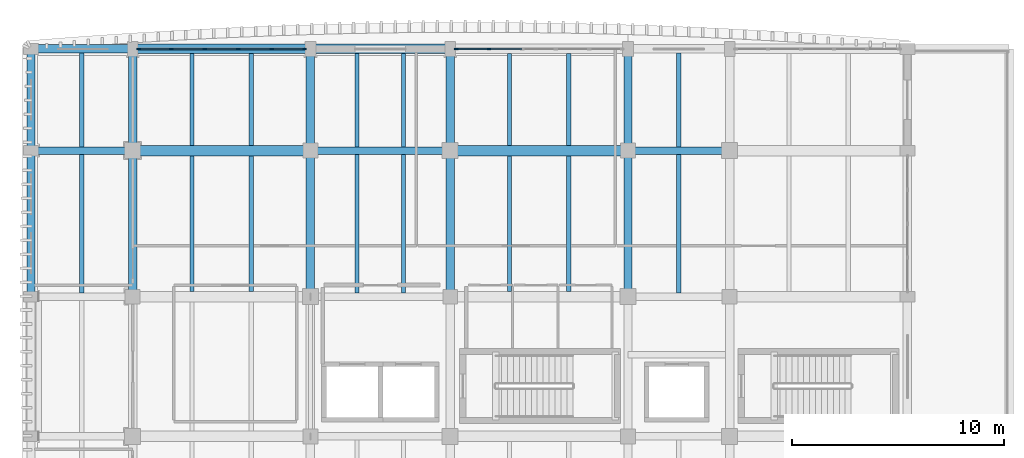
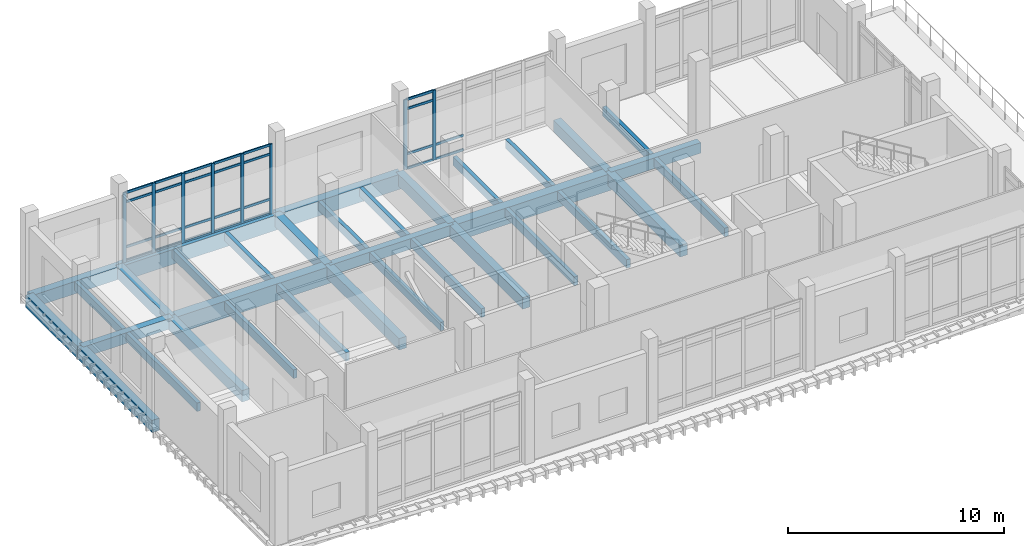
# One storey, part 6 of 50: 34 beams, 34 members, 2 elements without a shape of their own.
"""IFC4 building model written with IfcOpenShell, lengths in metres."""

from ifc_helpers import new_model, si_unit, direction, frame, origin, origin_2d, place, context, subcontext, project, spatial, rectangle, extrude, material, material_profile, profile_set, type_object, element, aggregate, save


model = new_model("IFC4")

# Units and contexts
model_context = context("Model", 3, precision=1e-05, world=origin(), true_north=direction((0.0, 1.0)))
body_context = subcontext(model_context, "Body", "Model", "MODEL_VIEW")
ifc_project = project(units=[si_unit("LENGTHUNIT", "METRE"), si_unit("AREAUNIT", "SQUARE_METRE"), si_unit("VOLUMEUNIT", "CUBIC_METRE"), si_unit("PLANEANGLEUNIT", "RADIAN"), si_unit("MASSUNIT", "GRAM", prefix="KILO")], contexts=[model_context])

# Site, building, storey
site_placement = place(None, origin())
site = spatial("IfcSite", under=ifc_project, at=site_placement, CompositionType="ELEMENT")
building_placement = place(site_placement, origin())
building = spatial("IfcBuilding", under=site, at=building_placement, Name="Dornvale Research Institute", CompositionType="ELEMENT")
storey_placement = place(building_placement, frame((0.0, 0.0, 19.800048828125)))
storey = spatial("IfcBuildingStorey", under=building, at=storey_placement, Name="L04", CompositionType="ELEMENT", Elevation=19.800048828125)

# Beams
ifc_material_1 = material(Name="Concrete f'c 45 MPa (C35/45)", Category="concrete")
ifc_material_profile_1 = material_profile(ifc_material_1, rectangle(XDim=0.35009765625, YDim=0.60009765625, at=origin_2d()), Name="RC 350x600")
ifc_profile_set_1 = profile_set([ifc_material_profile_1], Name="Concrete f'c 45 MPa (C35/45)")
beam_type_1 = type_object("IfcBeamType", Name="Beam_RC350x600_Floor", PredefinedType="BEAM", material=ifc_profile_set_1)
beam_1_placement = place(storey_placement, frame((0.0, 117.300048828125, -0.300048828125), z_axis=(1.0, 0.0, 0.0), x_axis=(0.0, 1.0, 0.0)))
element("IfcBeam", 1, at=beam_1_placement, inside=storey, type_object=beam_type_1, Name="L04 primary girder #1132", PredefinedType="BEAM", context=body_context, shape_type="SweptSolid", body=[
    extrude(rectangle(XDim=0.35009765625, YDim=0.60009765625, at=origin_2d()), origin(), (0.0, 0.0, 1.0), 4.800048828125),
])
beam_2_placement = place(storey_placement, frame((13.199951171875, 117.300048828125, -0.300048828125), z_axis=(1.0, 0.0, 0.0), x_axis=(0.0, 1.0, 0.0)))
element("IfcBeam", 2, at=beam_2_placement, inside=storey, type_object=beam_type_1, Name="L04 primary girder #1134", PredefinedType="BEAM", context=body_context, shape_type="SweptSolid", body=[
    extrude(rectangle(XDim=0.35009765625, YDim=0.60009765625, at=origin_2d()), origin(), (0.0, 0.0, 1.0), 6.60009765625),
])
beam_3_placement = place(storey_placement, frame((28.199951171875, 117.300048828125, -0.300048828125), z_axis=(1.0, 0.0, 0.0), x_axis=(0.0, 1.0, 0.0)))
element("IfcBeam", 3, at=beam_3_placement, inside=storey, type_object=beam_type_1, Name="L04 primary girder #1136", PredefinedType="BEAM", context=body_context, shape_type="SweptSolid", body=[
    extrude(rectangle(XDim=0.35009765625, YDim=0.60009765625, at=origin_2d()), origin(), (0.0, 0.0, 1.0), 4.800048828125),
])
ifc_material_2 = material(Name="Concrete f'c 45 MPa (C35/45)", Category="concrete")
ifc_material_profile_2 = material_profile(ifc_material_2, rectangle(XDim=0.39990234375, YDim=0.64990234375, at=origin_2d()), Name="RC 400x650")
ifc_profile_set_2 = profile_set([ifc_material_profile_2], Name="Concrete f'c 45 MPa (C35/45)")
beam_type_2 = type_object("IfcBeamType", Name="Beam_RC400x650_Floor", PredefinedType="BEAM", material=ifc_profile_set_2)
beam_4_placement = place(storey_placement, frame((4.800048828125, 110.39990234375, -0.324951171875), z_axis=(0.0, 1.0, 0.0), x_axis=(-1.0, 0.0, 0.0)))
element("IfcBeam", 4, at=beam_4_placement, inside=storey, type_object=beam_type_2, Name="L04 transverse girder #1150", PredefinedType="BEAM", context=body_context, shape_type="SweptSolid", body=[
    extrude(rectangle(XDim=0.39990234375, YDim=0.64990234375, at=origin_2d()), origin(), (0.0, 0.0, 1.0), 6.900146484375),
])
beam_5_placement = place(storey_placement, frame((4.800048828125, 117.300048828125, -0.324951171875), z_axis=(0.0, 1.0, 0.0), x_axis=(-1.0, 0.0, 0.0)))
element("IfcBeam", 5, at=beam_5_placement, inside=storey, type_object=beam_type_2, Name="L04 transverse girder #1151", PredefinedType="BEAM", context=body_context, shape_type="SweptSolid", body=[
    extrude(rectangle(XDim=0.39990234375, YDim=0.64990234375, at=origin_2d()), origin(), (0.0, 0.0, 1.0), 4.800048828125),
])
beam_6_placement = place(storey_placement, frame((13.199951171875, 110.39990234375, -0.324951171875), z_axis=(0.0, 1.0, 0.0), x_axis=(-1.0, 0.0, 0.0)))
element("IfcBeam", 6, at=beam_6_placement, inside=storey, type_object=beam_type_2, Name="L04 transverse girder #1154", PredefinedType="BEAM", context=body_context, shape_type="SweptSolid", body=[
    extrude(rectangle(XDim=0.39990234375, YDim=0.64990234375, at=origin_2d()), origin(), (0.0, 0.0, 1.0), 6.900146484375),
])
beam_7_placement = place(storey_placement, frame((13.199951171875, 117.300048828125, -0.324951171875), z_axis=(0.0, 1.0, 0.0), x_axis=(-1.0, 0.0, 0.0)))
element("IfcBeam", 7, at=beam_7_placement, inside=storey, type_object=beam_type_2, Name="L04 transverse girder #1155", PredefinedType="BEAM", context=body_context, shape_type="SweptSolid", body=[
    extrude(rectangle(XDim=0.39990234375, YDim=0.64990234375, at=origin_2d()), origin(), (0.0, 0.0, 1.0), 4.800048828125),
])
beam_8_placement = place(storey_placement, frame((19.800048828125, 110.39990234375, -0.324951171875), z_axis=(0.0, 1.0, 0.0), x_axis=(-1.0, 0.0, 0.0)))
element("IfcBeam", 8, at=beam_8_placement, inside=storey, type_object=beam_type_2, Name="L04 transverse girder #1158", PredefinedType="BEAM", context=body_context, shape_type="SweptSolid", body=[
    extrude(rectangle(XDim=0.39990234375, YDim=0.64990234375, at=origin_2d()), origin(), (0.0, 0.0, 1.0), 6.900146484375),
])
beam_9_placement = place(storey_placement, frame((19.800048828125, 117.300048828125, -0.324951171875), z_axis=(0.0, 1.0, 0.0), x_axis=(-1.0, 0.0, 0.0)))
element("IfcBeam", 9, at=beam_9_placement, inside=storey, type_object=beam_type_2, Name="L04 transverse girder #1159", PredefinedType="BEAM", context=body_context, shape_type="SweptSolid", body=[
    extrude(rectangle(XDim=0.39990234375, YDim=0.64990234375, at=origin_2d()), origin(), (0.0, 0.0, 1.0), 4.800048828125),
])
beam_10_placement = place(storey_placement, frame((28.199951171875, 110.39990234375, -0.324951171875), z_axis=(0.0, 1.0, 0.0), x_axis=(-1.0, 0.0, 0.0)))
element("IfcBeam", 10, at=beam_10_placement, inside=storey, type_object=beam_type_2, Name="L04 transverse girder #1162", PredefinedType="BEAM", context=body_context, shape_type="SweptSolid", body=[
    extrude(rectangle(XDim=0.39990234375, YDim=0.64990234375, at=origin_2d()), origin(), (0.0, 0.0, 1.0), 6.900146484375),
])
beam_11_placement = place(storey_placement, frame((28.199951171875, 117.300048828125, -0.324951171875), z_axis=(0.0, 1.0, 0.0), x_axis=(-1.0, 0.0, 0.0)))
element("IfcBeam", 11, at=beam_11_placement, inside=storey, type_object=beam_type_2, Name="L04 transverse girder #1163", PredefinedType="BEAM", context=body_context, shape_type="SweptSolid", body=[
    extrude(rectangle(XDim=0.39990234375, YDim=0.64990234375, at=origin_2d()), origin(), (0.0, 0.0, 1.0), 4.800048828125),
])
ifc_material_3 = material(Name="Concrete f'c 45 MPa (C35/45)", Category="concrete")
ifc_material_profile_3 = material_profile(ifc_material_3, rectangle(XDim=0.5, YDim=0.949951171875, at=origin_2d()), Name="RC 500x950")
ifc_profile_set_3 = profile_set([ifc_material_profile_3], Name="Concrete f'c 45 MPa (C35/45)")
beam_type_3 = type_object("IfcBeamType", Name="Beam_RC500x950_Girder", PredefinedType="BEAM", material=ifc_profile_set_3)
for number, where, z_axis, x_axis, name in (
    (12, (4.800048828125, 117.300048828125, -0.47509765625), (1.0, 0.0, 0.0), (0.0, 1.0, 0.0), "L04 primary girder #1133"),
    (13, (19.800048828125, 117.300048828125, -0.47509765625), (1.0, 0.0, 0.0), (0.0, 1.0, 0.0), "L04 primary girder #1135"),
):
    element("IfcBeam", number, at=place(storey_placement, frame(where, z_axis=z_axis, x_axis=x_axis)), inside=storey, type_object=beam_type_3, Name=name, PredefinedType="BEAM", context=body_context, shape_type="SweptSolid", body=[
        extrude(rectangle(XDim=0.5, YDim=0.949951171875, at=origin_2d()), origin(), (0.0, 0.0, 1.0), 8.39990234375),
    ])
ifc_material_4 = material(Name="Concrete f'c 45 MPa (C35/45)", Category="concrete")
ifc_material_profile_4 = material_profile(ifc_material_4, rectangle(XDim=0.199951171875, YDim=0.485107421875, at=origin_2d()), Name="RC 200x485")
ifc_profile_set_4 = profile_set([ifc_material_profile_4], Name="Concrete f'c 45 MPa (C35/45)")
beam_type_4 = type_object("IfcBeamType", Name="Joist_RC200x485_Rib", PredefinedType="JOIST", material=ifc_profile_set_4)
beam_12_placement = place(storey_placement, frame((2.39990234375, 110.574951171875, -0.242431640625), z_axis=(0.0, 1.0, 0.0), x_axis=(-1.0, 0.0, 0.0)))
element("IfcBeam", 14, at=beam_12_placement, inside=storey, type_object=beam_type_4, Name="L04 laboratory waffle joist #555", PredefinedType="JOIST", context=body_context, shape_type="SweptSolid", body=[
    extrude(rectangle(XDim=0.199951171875, YDim=0.485107421875, at=origin_2d()), origin(), (0.0, 0.0, 1.0), 6.550048828125),
])
beam_13_placement = place(storey_placement, frame((2.39990234375, 117.47509765625, -0.242431640625), z_axis=(0.0, 1.0, 0.0), x_axis=(-1.0, 0.0, 0.0)))
element("IfcBeam", 15, at=beam_13_placement, inside=storey, type_object=beam_type_4, Name="L04 laboratory waffle joist #556", PredefinedType="JOIST", context=body_context, shape_type="SweptSolid", body=[
    extrude(rectangle(XDim=0.199951171875, YDim=0.485107421875, at=origin_2d()), origin(), (0.0, 0.0, 1.0), 4.4248046875),
])
for number, where, z_axis, x_axis, name in (
    (16, (7.60009765625, 110.64990234375, -0.242431640625), (0.0, 1.0, 0.0), (-1.0, 0.0, 0.0), "L04 laboratory waffle joist #561"),
    (17, (10.39990234375, 110.64990234375, -0.242431640625), (0.0, 1.0, 0.0), (-1.0, 0.0, 0.0), "L04 laboratory waffle joist #562"),
):
    element("IfcBeam", number, at=place(storey_placement, frame(where, z_axis=z_axis, x_axis=x_axis)), inside=storey, type_object=beam_type_4, Name=name, PredefinedType="JOIST", context=body_context, shape_type="SweptSolid", body=[
        extrude(rectangle(XDim=0.199951171875, YDim=0.485107421875, at=origin_2d()), origin(), (0.0, 0.0, 1.0), 6.400146484375),
    ])
for number, where, z_axis, x_axis, name in (
    (18, (7.60009765625, 117.550048828125, -0.242431640625), (0.0, 1.0, 0.0), (-1.0, 0.0, 0.0), "L04 laboratory waffle joist #563"),
    (19, (10.39990234375, 117.550048828125, -0.242431640625), (0.0, 1.0, 0.0), (-1.0, 0.0, 0.0), "L04 laboratory waffle joist #564"),
):
    element("IfcBeam", number, at=place(storey_placement, frame(where, z_axis=z_axis, x_axis=x_axis)), inside=storey, type_object=beam_type_4, Name=name, PredefinedType="JOIST", context=body_context, shape_type="SweptSolid", body=[
        extrude(rectangle(XDim=0.199951171875, YDim=0.485107421875, at=origin_2d()), origin(), (0.0, 0.0, 1.0), 4.324951171875),
    ])
for number, where, z_axis, x_axis, name in (
    (20, (15.39990234375, 110.574951171875, -0.242431640625), (0.0, 1.0, 0.0), (-1.0, 0.0, 0.0), "L04 laboratory waffle joist #567"),
    (21, (17.60009765625, 110.574951171875, -0.242431640625), (0.0, 1.0, 0.0), (-1.0, 0.0, 0.0), "L04 laboratory waffle joist #568"),
):
    element("IfcBeam", number, at=place(storey_placement, frame(where, z_axis=z_axis, x_axis=x_axis)), inside=storey, type_object=beam_type_4, Name=name, PredefinedType="JOIST", context=body_context, shape_type="SweptSolid", body=[
        extrude(rectangle(XDim=0.199951171875, YDim=0.485107421875, at=origin_2d()), origin(), (0.0, 0.0, 1.0), 6.550048828125),
    ])
for number, where, z_axis, x_axis, name in (
    (22, (15.39990234375, 117.47509765625, -0.242431640625), (0.0, 1.0, 0.0), (-1.0, 0.0, 0.0), "L04 laboratory waffle joist #569"),
    (23, (17.60009765625, 117.47509765625, -0.242431640625), (0.0, 1.0, 0.0), (-1.0, 0.0, 0.0), "L04 laboratory waffle joist #570"),
):
    element("IfcBeam", number, at=place(storey_placement, frame(where, z_axis=z_axis, x_axis=x_axis)), inside=storey, type_object=beam_type_4, Name=name, PredefinedType="JOIST", context=body_context, shape_type="SweptSolid", body=[
        extrude(rectangle(XDim=0.199951171875, YDim=0.485107421875, at=origin_2d()), origin(), (0.0, 0.0, 1.0), 4.39990234375),
    ])
for number, where, z_axis, x_axis, name in (
    (24, (22.60009765625, 110.64990234375, -0.242431640625), (0.0, 1.0, 0.0), (-1.0, 0.0, 0.0), "L04 laboratory waffle joist #573"),
    (25, (25.39990234375, 110.64990234375, -0.242431640625), (0.0, 1.0, 0.0), (-1.0, 0.0, 0.0), "L04 laboratory waffle joist #574"),
):
    element("IfcBeam", number, at=place(storey_placement, frame(where, z_axis=z_axis, x_axis=x_axis)), inside=storey, type_object=beam_type_4, Name=name, PredefinedType="JOIST", context=body_context, shape_type="SweptSolid", body=[
        extrude(rectangle(XDim=0.199951171875, YDim=0.485107421875, at=origin_2d()), origin(), (0.0, 0.0, 1.0), 6.400146484375),
    ])
for number, where, z_axis, x_axis, name in (
    (26, (22.60009765625, 117.550048828125, -0.242431640625), (0.0, 1.0, 0.0), (-1.0, 0.0, 0.0), "L04 laboratory waffle joist #575"),
    (27, (25.39990234375, 117.550048828125, -0.242431640625), (0.0, 1.0, 0.0), (-1.0, 0.0, 0.0), "L04 laboratory waffle joist #576"),
):
    element("IfcBeam", number, at=place(storey_placement, frame(where, z_axis=z_axis, x_axis=x_axis)), inside=storey, type_object=beam_type_4, Name=name, PredefinedType="JOIST", context=body_context, shape_type="SweptSolid", body=[
        extrude(rectangle(XDim=0.199951171875, YDim=0.485107421875, at=origin_2d()), origin(), (0.0, 0.0, 1.0), 4.324951171875),
    ])
beam_14_placement = place(storey_placement, frame((30.60009765625, 110.574951171875, -0.242431640625), z_axis=(0.0, 1.0, 0.0), x_axis=(-1.0, 0.0, 0.0)))
element("IfcBeam", 28, at=beam_14_placement, inside=storey, type_object=beam_type_4, Name="L04 laboratory waffle joist #578", PredefinedType="JOIST", context=body_context, shape_type="SweptSolid", body=[
    extrude(rectangle(XDim=0.199951171875, YDim=0.485107421875, at=origin_2d()), origin(), (0.0, 0.0, 1.0), 6.550048828125),
])
beam_15_placement = place(storey_placement, frame((30.60009765625, 117.47509765625, -0.242431640625), z_axis=(0.0, 1.0, 0.0), x_axis=(-1.0, 0.0, 0.0)))
element("IfcBeam", 29, at=beam_15_placement, inside=storey, type_object=beam_type_4, Name="L04 laboratory waffle joist #579", PredefinedType="JOIST", context=body_context, shape_type="SweptSolid", body=[
    extrude(rectangle(XDim=0.199951171875, YDim=0.485107421875, at=origin_2d()), origin(), (0.0, 0.0, 1.0), 4.4248046875),
])

# Curtain wall, members
ifc_material_5 = material(Name="Low-E Argon Double Insulating Glazing Unit", Category="glass")
curtain_wall_type = type_object("IfcCurtainWallType", Name="UnitisedCurtainWall_V5_7900x3950", PredefinedType="USERDEFINED", material=ifc_material_5)
curtain_wall_1_placement = place(storey_placement, origin())
curtain_wall_1 = element("IfcCurtainWall", 30, at=curtain_wall_1_placement, inside=storey, type_object=curtain_wall_type, Name="L04 V5 unitised curtain wall CW-24 #157", ObjectType="UNITISED CURTAIN WALL", PredefinedType="USERDEFINED")
ifc_material_6 = material(Name="Anodized Aluminum AA 6063-T6 Thermally Broken Frame", Category="aluminium")
ifc_material_profile_5 = material_profile(ifc_material_6, rectangle(XDim=0.06494140625, YDim=0.179931640625, at=origin_2d()), Name="ALU MULLION 65x180")
ifc_profile_set_5 = profile_set([ifc_material_profile_5], Name="Anodized Aluminum AA 6063-T6 Thermally Broken Frame")
member_type_1 = type_object("IfcMemberType", Name="Mullion_CW_65x180", PredefinedType="MULLION", material=ifc_profile_set_5)
member_1_placement = place(storey_placement, frame((5.08251953125, 122.10009765625, 0.0), z_axis=(0.0, 0.0, 1.0), x_axis=(0.0, 1.0, 0.0)))
member_1 = element("IfcMember", 31, at=member_1_placement, type_object=member_type_1, Name="CW-24 mullion 1", PredefinedType="MULLION", context=body_context, shape_type="SweptSolid", body=[
    extrude(rectangle(XDim=0.06494140625, YDim=0.179931640625, at=origin_2d()), origin(), (0.0, 0.0, 1.0), 3.949951171875),
])
member_2_placement = place(storey_placement, frame((6.6298828125, 122.10009765625, 0.0), z_axis=(0.0, 0.0, 1.0), x_axis=(0.0, 1.0, 0.0)))
member_2 = element("IfcMember", 32, at=member_2_placement, type_object=member_type_1, Name="CW-24 mullion 2", PredefinedType="MULLION", context=body_context, shape_type="SweptSolid", body=[
    extrude(rectangle(XDim=0.06494140625, YDim=0.179931640625, at=origin_2d()), origin(), (0.0, 0.0, 1.0), 3.949951171875),
])
member_3_placement = place(storey_placement, frame((8.2099609375, 122.10009765625, 0.0), z_axis=(0.0, 0.0, 1.0), x_axis=(0.0, 1.0, 0.0)))
member_3 = element("IfcMember", 33, at=member_3_placement, type_object=member_type_1, Name="CW-24 mullion 3", PredefinedType="MULLION", context=body_context, shape_type="SweptSolid", body=[
    extrude(rectangle(XDim=0.06494140625, YDim=0.179931640625, at=origin_2d()), origin(), (0.0, 0.0, 1.0), 3.949951171875),
])
member_4_placement = place(storey_placement, frame((9.7900390625, 122.10009765625, 0.0), z_axis=(0.0, 0.0, 1.0), x_axis=(0.0, 1.0, 0.0)))
member_4 = element("IfcMember", 34, at=member_4_placement, type_object=member_type_1, Name="CW-24 mullion 4", PredefinedType="MULLION", context=body_context, shape_type="SweptSolid", body=[
    extrude(rectangle(XDim=0.06494140625, YDim=0.179931640625, at=origin_2d()), origin(), (0.0, 0.0, 1.0), 3.949951171875),
])
member_5_placement = place(storey_placement, frame((11.3701171875, 122.10009765625, 0.0), z_axis=(0.0, 0.0, 1.0), x_axis=(0.0, 1.0, 0.0)))
member_5 = element("IfcMember", 35, at=member_5_placement, type_object=member_type_1, Name="CW-24 mullion 5", PredefinedType="MULLION", context=body_context, shape_type="SweptSolid", body=[
    extrude(rectangle(XDim=0.06494140625, YDim=0.179931640625, at=origin_2d()), origin(), (0.0, 0.0, 1.0), 3.949951171875),
])
member_6_placement = place(storey_placement, frame((12.91748046875, 122.10009765625, 0.0), z_axis=(0.0, 0.0, 1.0), x_axis=(0.0, 1.0, 0.0)))
member_6 = element("IfcMember", 36, at=member_6_placement, type_object=member_type_1, Name="CW-24 mullion 6", PredefinedType="MULLION", context=body_context, shape_type="SweptSolid", body=[
    extrude(rectangle(XDim=0.06494140625, YDim=0.179931640625, at=origin_2d()), origin(), (0.0, 0.0, 1.0), 3.949951171875),
])

curtain_wall_2_placement = place(storey_placement, origin())
curtain_wall_2 = element("IfcCurtainWall", 37, at=curtain_wall_2_placement, inside=storey, type_object=curtain_wall_type, Name="L04 V5 unitised curtain wall CW-24 #158", ObjectType="UNITISED CURTAIN WALL", PredefinedType="USERDEFINED")
member_7_placement = place(storey_placement, frame((20.08251953125, 122.10009765625, 0.0), z_axis=(0.0, 0.0, 1.0), x_axis=(0.0, 1.0, 0.0)))
member_7 = element("IfcMember", 38, at=member_7_placement, type_object=member_type_1, Name="CW-24 mullion 1", PredefinedType="MULLION", context=body_context, shape_type="SweptSolid", body=[
    extrude(rectangle(XDim=0.06494140625, YDim=0.179931640625, at=origin_2d()), origin(), (0.0, 0.0, 1.0), 3.949951171875),
])
member_8_placement = place(storey_placement, frame((21.6298828125, 122.10009765625, 0.0), z_axis=(0.0, 0.0, 1.0), x_axis=(0.0, 1.0, 0.0)))
member_8 = element("IfcMember", 39, at=member_8_placement, type_object=member_type_1, Name="CW-24 mullion 2", PredefinedType="MULLION", context=body_context, shape_type="SweptSolid", body=[
    extrude(rectangle(XDim=0.06494140625, YDim=0.179931640625, at=origin_2d()), origin(), (0.0, 0.0, 1.0), 3.949951171875),
])

# Beams
ifc_material_7 = material(Name="Concrete f'c 45 MPa (C35/45)", Category="concrete")
ifc_material_profile_6 = material_profile(ifc_material_7, rectangle(XDim=0.39990234375, YDim=0.699951171875, at=origin_2d()), Name="RC 400x700")
ifc_profile_set_6 = profile_set([ifc_material_profile_6], Name="Concrete f'c 45 MPa (C35/45)")
beam_type_5 = type_object("IfcBeamType", Name="Spandrel_RC400x700_Ext", PredefinedType="SPANDREL", material=ifc_profile_set_6)
beam_16_placement = place(storey_placement, frame((0.0, 122.10009765625, -0.35009765625), z_axis=(1.0, 0.0, 0.0), x_axis=(0.0, 1.0, 0.0)))
element("IfcBeam", 40, at=beam_16_placement, inside=storey, type_object=beam_type_5, Name="L04 perimeter spandrel #1138", PredefinedType="SPANDREL", context=body_context, shape_type="SweptSolid", body=[
    extrude(rectangle(XDim=0.39990234375, YDim=0.699951171875, at=origin_2d()), origin(), (0.0, 0.0, 1.0), 4.800048828125),
])
beam_17_placement = place(storey_placement, frame((0.0, 110.39990234375, -0.35009765625), z_axis=(0.0, 1.0, 0.0), x_axis=(-1.0, 0.0, 0.0)))
element("IfcBeam", 41, at=beam_17_placement, inside=storey, type_object=beam_type_5, Name="L04 perimeter spandrel #1146", PredefinedType="SPANDREL", context=body_context, shape_type="SweptSolid", body=[
    extrude(rectangle(XDim=0.39990234375, YDim=0.699951171875, at=origin_2d()), origin(), (0.0, 0.0, 1.0), 6.900146484375),
])
beam_18_placement = place(storey_placement, frame((0.0, 117.300048828125, -0.35009765625), z_axis=(0.0, 1.0, 0.0), x_axis=(-1.0, 0.0, 0.0)))
element("IfcBeam", 42, at=beam_18_placement, inside=storey, type_object=beam_type_5, Name="L04 perimeter spandrel #1147", PredefinedType="SPANDREL", context=body_context, shape_type="SweptSolid", body=[
    extrude(rectangle(XDim=0.39990234375, YDim=0.699951171875, at=origin_2d()), origin(), (0.0, 0.0, 1.0), 4.800048828125),
])
ifc_material_8 = material(Name="Concrete f'c 45 MPa (C35/45)", Category="concrete")
ifc_material_profile_7 = material_profile(ifc_material_8, rectangle(XDim=0.449951171875, YDim=0.85009765625, at=origin_2d()), Name="RC 450x850")
ifc_profile_set_7 = profile_set([ifc_material_profile_7], Name="Concrete f'c 45 MPa (C35/45)")
beam_type_6 = type_object("IfcBeamType", Name="Spandrel_RC450x850_Ext", PredefinedType="SPANDREL", material=ifc_profile_set_7)
beam_19_placement = place(storey_placement, frame((4.800048828125, 122.10009765625, -0.425048828125), z_axis=(1.0, 0.0, 0.0), x_axis=(0.0, 1.0, 0.0)))
element("IfcBeam", 43, at=beam_19_placement, inside=storey, type_object=beam_type_6, Name="L04 perimeter spandrel #1139", PredefinedType="SPANDREL", context=body_context, shape_type="SweptSolid", body=[
    extrude(rectangle(XDim=0.449951171875, YDim=0.85009765625, at=origin_2d()), origin(), (0.0, 0.0, 1.0), 8.39990234375),
])
beam_20_placement = place(storey_placement, frame((13.199951171875, 122.10009765625, -0.425048828125), z_axis=(1.0, 0.0, 0.0), x_axis=(0.0, 1.0, 0.0)))
element("IfcBeam", 44, at=beam_20_placement, inside=storey, type_object=beam_type_6, Name="L04 perimeter spandrel #1140", PredefinedType="SPANDREL", context=body_context, shape_type="SweptSolid", body=[
    extrude(rectangle(XDim=0.449951171875, YDim=0.85009765625, at=origin_2d()), origin(), (0.0, 0.0, 1.0), 6.60009765625),
])

# Member
ifc_material_9 = material(Name="Anodized Aluminum AA 6063-T6 Thermally Broken Frame", Category="aluminium")
ifc_material_profile_8 = material_profile(ifc_material_9, rectangle(XDim=0.06494140625, YDim=0.135009765625, at=origin_2d()), Name="ALU TRANSOM 65x135")
ifc_profile_set_8 = profile_set([ifc_material_profile_8], Name="Anodized Aluminum AA 6063-T6 Thermally Broken Frame")
member_type_2 = type_object("IfcMemberType", Name="Transom_CW_65x135", PredefinedType="USERDEFINED", material=ifc_profile_set_8)
member_9_placement = place(storey_placement, frame((5.114990234375, 122.10009765625, 0.032470703125), z_axis=(1.0, 0.0, 0.0), x_axis=(0.0, 1.0, 0.0)))
member_9 = element("IfcMember", 45, at=member_9_placement, type_object=member_type_2, Name="CW-24 transom 1.1", ObjectType="TRANSOM", PredefinedType="USERDEFINED", context=body_context, shape_type="SweptSolid", body=[
    extrude(rectangle(XDim=0.06494140625, YDim=0.135009765625, at=origin_2d()), origin(), (0.0, 0.0, 1.0), 1.482421875),
])

member_10_placement = place(storey_placement, frame((5.114990234375, 122.10009765625, 0.849853515625), z_axis=(1.0, 0.0, 0.0), x_axis=(0.0, 1.0, 0.0)))
member_10 = element("IfcMember", 46, at=member_10_placement, type_object=member_type_2, Name="CW-24 transom 1.2", ObjectType="TRANSOM", PredefinedType="USERDEFINED", context=body_context, shape_type="SweptSolid", body=[
    extrude(rectangle(XDim=0.06494140625, YDim=0.135009765625, at=origin_2d()), origin(), (0.0, 0.0, 1.0), 1.482421875),
])

member_11_placement = place(storey_placement, frame((5.114990234375, 122.10009765625, 3.39990234375), z_axis=(1.0, 0.0, 0.0), x_axis=(0.0, 1.0, 0.0)))
member_11 = element("IfcMember", 47, at=member_11_placement, type_object=member_type_2, Name="CW-24 transom 1.3", ObjectType="TRANSOM", PredefinedType="USERDEFINED", context=body_context, shape_type="SweptSolid", body=[
    extrude(rectangle(XDim=0.06494140625, YDim=0.135009765625, at=origin_2d()), origin(), (0.0, 0.0, 1.0), 1.482421875),
])

member_12_placement = place(storey_placement, frame((5.114990234375, 122.10009765625, 3.91748046875), z_axis=(1.0, 0.0, 0.0), x_axis=(0.0, 1.0, 0.0)))
member_12 = element("IfcMember", 48, at=member_12_placement, type_object=member_type_2, Name="CW-24 transom 1.4", ObjectType="TRANSOM", PredefinedType="USERDEFINED", context=body_context, shape_type="SweptSolid", body=[
    extrude(rectangle(XDim=0.06494140625, YDim=0.135009765625, at=origin_2d()), origin(), (0.0, 0.0, 1.0), 1.482421875),
])

member_13_placement = place(storey_placement, frame((6.66259765625, 122.10009765625, 0.032470703125), z_axis=(1.0, 0.0, 0.0), x_axis=(0.0, 1.0, 0.0)))
member_13 = element("IfcMember", 49, at=member_13_placement, type_object=member_type_2, Name="CW-24 transom 2.1", ObjectType="TRANSOM", PredefinedType="USERDEFINED", context=body_context, shape_type="SweptSolid", body=[
    extrude(rectangle(XDim=0.06494140625, YDim=0.135009765625, at=origin_2d()), origin(), (0.0, 0.0, 1.0), 1.514892578125),
])

member_14_placement = place(storey_placement, frame((6.66259765625, 122.10009765625, 0.849853515625), z_axis=(1.0, 0.0, 0.0), x_axis=(0.0, 1.0, 0.0)))
member_14 = element("IfcMember", 50, at=member_14_placement, type_object=member_type_2, Name="CW-24 transom 2.2", ObjectType="TRANSOM", PredefinedType="USERDEFINED", context=body_context, shape_type="SweptSolid", body=[
    extrude(rectangle(XDim=0.06494140625, YDim=0.135009765625, at=origin_2d()), origin(), (0.0, 0.0, 1.0), 1.514892578125),
])

member_15_placement = place(storey_placement, frame((6.66259765625, 122.10009765625, 3.39990234375), z_axis=(1.0, 0.0, 0.0), x_axis=(0.0, 1.0, 0.0)))
member_15 = element("IfcMember", 51, at=member_15_placement, type_object=member_type_2, Name="CW-24 transom 2.3", ObjectType="TRANSOM", PredefinedType="USERDEFINED", context=body_context, shape_type="SweptSolid", body=[
    extrude(rectangle(XDim=0.06494140625, YDim=0.135009765625, at=origin_2d()), origin(), (0.0, 0.0, 1.0), 1.514892578125),
])

member_16_placement = place(storey_placement, frame((6.66259765625, 122.10009765625, 3.91748046875), z_axis=(1.0, 0.0, 0.0), x_axis=(0.0, 1.0, 0.0)))
member_16 = element("IfcMember", 52, at=member_16_placement, type_object=member_type_2, Name="CW-24 transom 2.4", ObjectType="TRANSOM", PredefinedType="USERDEFINED", context=body_context, shape_type="SweptSolid", body=[
    extrude(rectangle(XDim=0.06494140625, YDim=0.135009765625, at=origin_2d()), origin(), (0.0, 0.0, 1.0), 1.514892578125),
])

member_17_placement = place(storey_placement, frame((8.242431640625, 122.10009765625, 0.032470703125), z_axis=(1.0, 0.0, 0.0), x_axis=(0.0, 1.0, 0.0)))
member_17 = element("IfcMember", 53, at=member_17_placement, type_object=member_type_2, Name="CW-24 transom 3.1", ObjectType="TRANSOM", PredefinedType="USERDEFINED", context=body_context, shape_type="SweptSolid", body=[
    extrude(rectangle(XDim=0.06494140625, YDim=0.135009765625, at=origin_2d()), origin(), (0.0, 0.0, 1.0), 1.51513671875),
])

member_18_placement = place(storey_placement, frame((8.242431640625, 122.10009765625, 0.849853515625), z_axis=(1.0, 0.0, 0.0), x_axis=(0.0, 1.0, 0.0)))
member_18 = element("IfcMember", 54, at=member_18_placement, type_object=member_type_2, Name="CW-24 transom 3.2", ObjectType="TRANSOM", PredefinedType="USERDEFINED", context=body_context, shape_type="SweptSolid", body=[
    extrude(rectangle(XDim=0.06494140625, YDim=0.135009765625, at=origin_2d()), origin(), (0.0, 0.0, 1.0), 1.51513671875),
])

member_19_placement = place(storey_placement, frame((8.242431640625, 122.10009765625, 3.39990234375), z_axis=(1.0, 0.0, 0.0), x_axis=(0.0, 1.0, 0.0)))
member_19 = element("IfcMember", 55, at=member_19_placement, type_object=member_type_2, Name="CW-24 transom 3.3", ObjectType="TRANSOM", PredefinedType="USERDEFINED", context=body_context, shape_type="SweptSolid", body=[
    extrude(rectangle(XDim=0.06494140625, YDim=0.135009765625, at=origin_2d()), origin(), (0.0, 0.0, 1.0), 1.51513671875),
])

member_20_placement = place(storey_placement, frame((8.242431640625, 122.10009765625, 3.91748046875), z_axis=(1.0, 0.0, 0.0), x_axis=(0.0, 1.0, 0.0)))
member_20 = element("IfcMember", 56, at=member_20_placement, type_object=member_type_2, Name="CW-24 transom 3.4", ObjectType="TRANSOM", PredefinedType="USERDEFINED", context=body_context, shape_type="SweptSolid", body=[
    extrude(rectangle(XDim=0.06494140625, YDim=0.135009765625, at=origin_2d()), origin(), (0.0, 0.0, 1.0), 1.51513671875),
])

member_21_placement = place(storey_placement, frame((9.822509765625, 122.10009765625, 0.032470703125), z_axis=(1.0, 0.0, 0.0), x_axis=(0.0, 1.0, 0.0)))
member_21 = element("IfcMember", 57, at=member_21_placement, type_object=member_type_2, Name="CW-24 transom 4.1", ObjectType="TRANSOM", PredefinedType="USERDEFINED", context=body_context, shape_type="SweptSolid", body=[
    extrude(rectangle(XDim=0.06494140625, YDim=0.135009765625, at=origin_2d()), origin(), (0.0, 0.0, 1.0), 1.514892578125),
])

member_22_placement = place(storey_placement, frame((9.822509765625, 122.10009765625, 0.849853515625), z_axis=(1.0, 0.0, 0.0), x_axis=(0.0, 1.0, 0.0)))
member_22 = element("IfcMember", 58, at=member_22_placement, type_object=member_type_2, Name="CW-24 transom 4.2", ObjectType="TRANSOM", PredefinedType="USERDEFINED", context=body_context, shape_type="SweptSolid", body=[
    extrude(rectangle(XDim=0.06494140625, YDim=0.135009765625, at=origin_2d()), origin(), (0.0, 0.0, 1.0), 1.514892578125),
])

member_23_placement = place(storey_placement, frame((9.822509765625, 122.10009765625, 3.39990234375), z_axis=(1.0, 0.0, 0.0), x_axis=(0.0, 1.0, 0.0)))
member_23 = element("IfcMember", 59, at=member_23_placement, type_object=member_type_2, Name="CW-24 transom 4.3", ObjectType="TRANSOM", PredefinedType="USERDEFINED", context=body_context, shape_type="SweptSolid", body=[
    extrude(rectangle(XDim=0.06494140625, YDim=0.135009765625, at=origin_2d()), origin(), (0.0, 0.0, 1.0), 1.514892578125),
])

member_24_placement = place(storey_placement, frame((9.822509765625, 122.10009765625, 3.91748046875), z_axis=(1.0, 0.0, 0.0), x_axis=(0.0, 1.0, 0.0)))
member_24 = element("IfcMember", 60, at=member_24_placement, type_object=member_type_2, Name="CW-24 transom 4.4", ObjectType="TRANSOM", PredefinedType="USERDEFINED", context=body_context, shape_type="SweptSolid", body=[
    extrude(rectangle(XDim=0.06494140625, YDim=0.135009765625, at=origin_2d()), origin(), (0.0, 0.0, 1.0), 1.514892578125),
])

member_25_placement = place(storey_placement, frame((11.402587890625, 122.10009765625, 0.032470703125), z_axis=(1.0, 0.0, 0.0), x_axis=(0.0, 1.0, 0.0)))
member_25 = element("IfcMember", 61, at=member_25_placement, type_object=member_type_2, Name="CW-24 transom 5.1", ObjectType="TRANSOM", PredefinedType="USERDEFINED", context=body_context, shape_type="SweptSolid", body=[
    extrude(rectangle(XDim=0.06494140625, YDim=0.135009765625, at=origin_2d()), origin(), (0.0, 0.0, 1.0), 1.482421875),
])

member_26_placement = place(storey_placement, frame((11.402587890625, 122.10009765625, 0.849853515625), z_axis=(1.0, 0.0, 0.0), x_axis=(0.0, 1.0, 0.0)))
member_26 = element("IfcMember", 62, at=member_26_placement, type_object=member_type_2, Name="CW-24 transom 5.2", ObjectType="TRANSOM", PredefinedType="USERDEFINED", context=body_context, shape_type="SweptSolid", body=[
    extrude(rectangle(XDim=0.06494140625, YDim=0.135009765625, at=origin_2d()), origin(), (0.0, 0.0, 1.0), 1.482421875),
])

member_27_placement = place(storey_placement, frame((11.402587890625, 122.10009765625, 3.39990234375), z_axis=(1.0, 0.0, 0.0), x_axis=(0.0, 1.0, 0.0)))
member_27 = element("IfcMember", 63, at=member_27_placement, type_object=member_type_2, Name="CW-24 transom 5.3", ObjectType="TRANSOM", PredefinedType="USERDEFINED", context=body_context, shape_type="SweptSolid", body=[
    extrude(rectangle(XDim=0.06494140625, YDim=0.135009765625, at=origin_2d()), origin(), (0.0, 0.0, 1.0), 1.482421875),
])

member_28_placement = place(storey_placement, frame((11.402587890625, 122.10009765625, 3.91748046875), z_axis=(1.0, 0.0, 0.0), x_axis=(0.0, 1.0, 0.0)))
member_28 = element("IfcMember", 64, at=member_28_placement, type_object=member_type_2, Name="CW-24 transom 5.4", ObjectType="TRANSOM", PredefinedType="USERDEFINED", context=body_context, shape_type="SweptSolid", body=[
    extrude(rectangle(XDim=0.06494140625, YDim=0.135009765625, at=origin_2d()), origin(), (0.0, 0.0, 1.0), 1.482421875),
])

aggregate(curtain_wall_1, [member_1, member_2, member_3, member_4, member_5, member_6, member_9, member_10, member_11, member_12, member_13, member_14, member_15, member_16, member_17, member_18, member_19, member_20, member_21, member_22, member_23, member_24, member_25, member_26, member_27, member_28])

member_29_placement = place(storey_placement, frame((20.114990234375, 122.10009765625, 0.032470703125), z_axis=(1.0, 0.0, 0.0), x_axis=(0.0, 1.0, 0.0)))
member_29 = element("IfcMember", 65, at=member_29_placement, type_object=member_type_2, Name="CW-24 transom 1.1", ObjectType="TRANSOM", PredefinedType="USERDEFINED", context=body_context, shape_type="SweptSolid", body=[
    extrude(rectangle(XDim=0.06494140625, YDim=0.135009765625, at=origin_2d()), origin(), (0.0, 0.0, 1.0), 1.482421875),
])

member_30_placement = place(storey_placement, frame((20.114990234375, 122.10009765625, 0.849853515625), z_axis=(1.0, 0.0, 0.0), x_axis=(0.0, 1.0, 0.0)))
member_30 = element("IfcMember", 66, at=member_30_placement, type_object=member_type_2, Name="CW-24 transom 1.2", ObjectType="TRANSOM", PredefinedType="USERDEFINED", context=body_context, shape_type="SweptSolid", body=[
    extrude(rectangle(XDim=0.06494140625, YDim=0.135009765625, at=origin_2d()), origin(), (0.0, 0.0, 1.0), 1.482421875),
])

member_31_placement = place(storey_placement, frame((20.114990234375, 122.10009765625, 3.39990234375), z_axis=(1.0, 0.0, 0.0), x_axis=(0.0, 1.0, 0.0)))
member_31 = element("IfcMember", 67, at=member_31_placement, type_object=member_type_2, Name="CW-24 transom 1.3", ObjectType="TRANSOM", PredefinedType="USERDEFINED", context=body_context, shape_type="SweptSolid", body=[
    extrude(rectangle(XDim=0.06494140625, YDim=0.135009765625, at=origin_2d()), origin(), (0.0, 0.0, 1.0), 1.482421875),
])

member_32_placement = place(storey_placement, frame((20.114990234375, 122.10009765625, 3.91748046875), z_axis=(1.0, 0.0, 0.0), x_axis=(0.0, 1.0, 0.0)))
member_32 = element("IfcMember", 68, at=member_32_placement, type_object=member_type_2, Name="CW-24 transom 1.4", ObjectType="TRANSOM", PredefinedType="USERDEFINED", context=body_context, shape_type="SweptSolid", body=[
    extrude(rectangle(XDim=0.06494140625, YDim=0.135009765625, at=origin_2d()), origin(), (0.0, 0.0, 1.0), 1.482421875),
])

member_33_placement = place(storey_placement, frame((21.66259765625, 122.10009765625, 0.032470703125), z_axis=(1.0, 0.0, 0.0), x_axis=(0.0, 1.0, 0.0)))
member_33 = element("IfcMember", 69, at=member_33_placement, type_object=member_type_2, Name="CW-24 transom 2.1", ObjectType="TRANSOM", PredefinedType="USERDEFINED", context=body_context, shape_type="SweptSolid", body=[
    extrude(rectangle(XDim=0.06494140625, YDim=0.135009765625, at=origin_2d()), origin(), (0.0, 0.0, 1.0), 1.514892578125),
])

member_34_placement = place(storey_placement, frame((21.66259765625, 122.10009765625, 0.849853515625), z_axis=(1.0, 0.0, 0.0), x_axis=(0.0, 1.0, 0.0)))
member_34 = element("IfcMember", 70, at=member_34_placement, type_object=member_type_2, Name="CW-24 transom 2.2", ObjectType="TRANSOM", PredefinedType="USERDEFINED", context=body_context, shape_type="SweptSolid", body=[
    extrude(rectangle(XDim=0.06494140625, YDim=0.135009765625, at=origin_2d()), origin(), (0.0, 0.0, 1.0), 1.514892578125),
])

aggregate(curtain_wall_2, [member_7, member_8, member_29, member_30, member_31, member_32, member_33, member_34])

save(model, "model.ifc")
